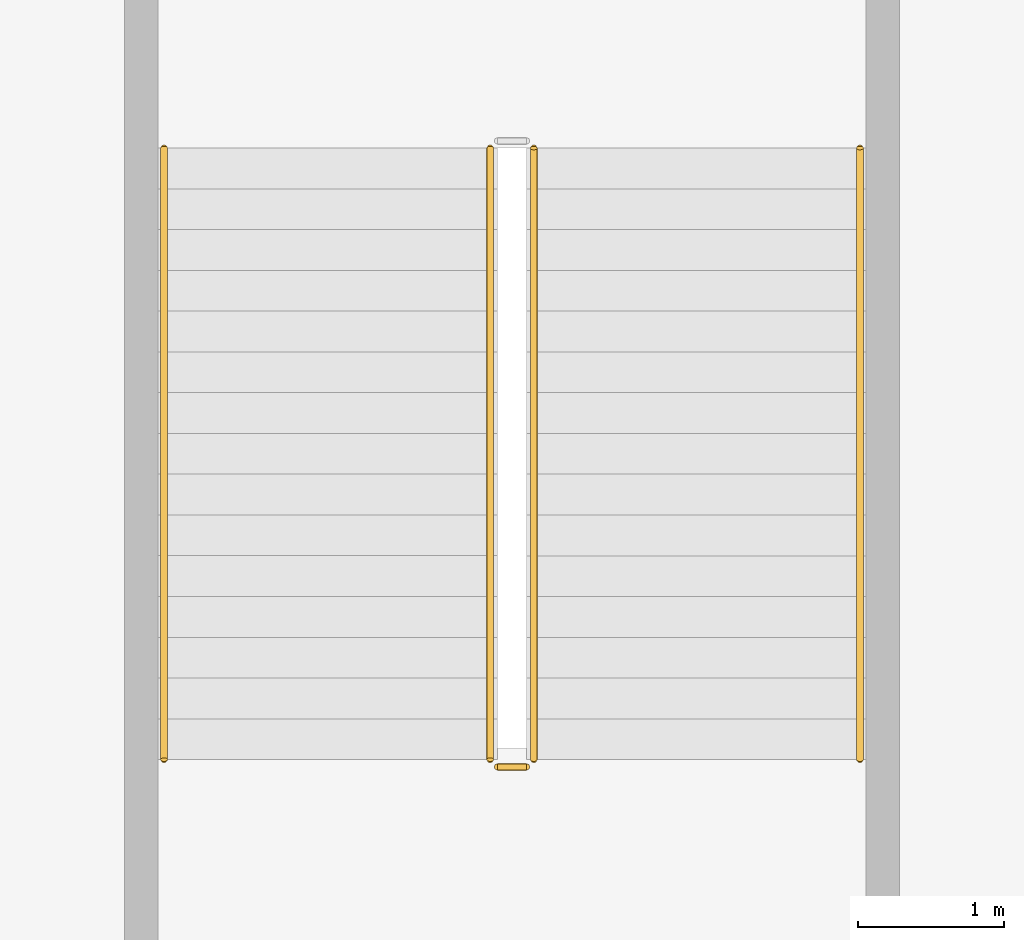
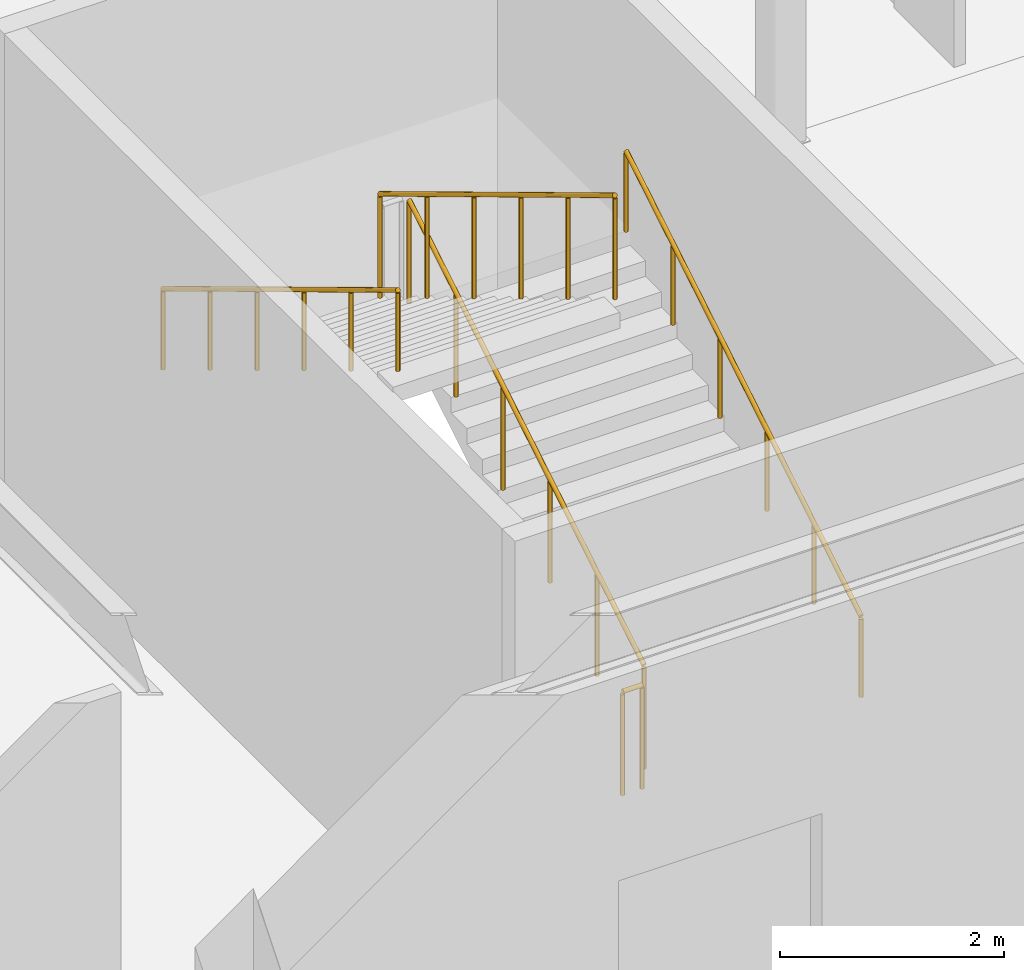
# One storey, part 98 of 105: 5 railings.
"""IFC4 building model written with IfcOpenShell, lengths in metres."""

from ifc_helpers import new_model, si_unit, direction, frame, origin, origin_2d, place, context, subcontext, project, spatial, circle, extrude, material, layer, layer_set, type_object, element, save


model = new_model("IFC4")

# Units and contexts
model_context = context("Model", 3, precision=1e-05, world=origin(), true_north=direction((0.0, 1.0)))
body_context = subcontext(model_context, "Body", "Model", "MODEL_VIEW")
ifc_project = project(units=[si_unit("LENGTHUNIT", "METRE"), si_unit("AREAUNIT", "SQUARE_METRE"), si_unit("VOLUMEUNIT", "CUBIC_METRE"), si_unit("PLANEANGLEUNIT", "RADIAN"), si_unit("MASSUNIT", "GRAM", prefix="KILO")], contexts=[model_context])

# Site, building, storey
site_placement = place(None, origin())
site = spatial("IfcSite", under=ifc_project, at=site_placement, CompositionType="ELEMENT")
building_placement = place(site_placement, origin())
building = spatial("IfcBuilding", under=site, at=building_placement, Name="Kazenohara Klinker Stadium", CompositionType="ELEMENT")
storey_placement = place(building_placement, frame((0.0, 0.0, 20.39990234375)))
storey = spatial("IfcBuildingStorey", under=building, at=storey_placement, Name="L04", CompositionType="ELEMENT", Elevation=20.39990234375)

# Railings
ifc_material_1 = material(Name="Brushed stainless steel 304 handrail", Category="steel")
ifc_layer_1 = layer(ifc_material_1, 0.050048828125)
ifc_layer_set_1 = layer_set([ifc_layer_1], Name="Brushed stainless steel 304 handrail")
railing_type_1 = type_object("IfcRailingType", Name="RL-HND-900", PredefinedType="HANDRAIL", material=ifc_layer_set_1)
railing_1_placement = place(storey_placement, frame((183.639892578125, 135.8798828125, 0.1689453125)))
element("IfcRailing", 1, at=railing_1_placement, inside=storey, type_object=railing_type_1, Name="L04 ST12 stair handrail 1", PredefinedType="HANDRAIL", context=body_context, shape_type="SweptSolid", body=[
    extrude(circle(Radius=0.02392578125, at=origin_2d()), frame((0.0, 0.0, 0.8759765625), z_axis=(0.0, 0.856489757249, 0.516164020179), x_axis=(-1.0, 0.0, 0.0)), (0.0, 0.0, 1.0), 4.904052734375),
    extrude(circle(Radius=0.02099609375, at=origin_2d()), origin(), (0.0, 0.0, 1.0), 0.851806640625),
    extrude(circle(Radius=0.02099609375, at=origin_2d()), frame((0.0, 0.840087890625, 0.50634765625)), (0.0, 0.0, 1.0), 0.851806640625),
    extrude(circle(Radius=0.02099609375, at=origin_2d()), frame((0.0, 1.68017578125, 1.012451171875)), (0.0, 0.0, 1.0), 0.851806640625),
    extrude(circle(Radius=0.02099609375, at=origin_2d()), frame((0.0, 2.52001953125, 1.518798828125)), (0.0, 0.0, 1.0), 0.851806640625),
    extrude(circle(Radius=0.02099609375, at=origin_2d()), frame((0.0, 3.360107421875, 2.02490234375)), (0.0, 0.0, 1.0), 0.851806640625),
    extrude(circle(Radius=0.02099609375, at=origin_2d()), frame((0.0, 4.2001953125, 2.53125)), (0.0, 0.0, 1.0), 0.851806640625),
])
railing_2_placement = place(storey_placement, frame((178.860107421875, 140.080078125, 2.868896484375)))
element("IfcRailing", 2, at=railing_2_placement, inside=storey, type_object=railing_type_1, Name="L04 ST12 stair handrail 2", PredefinedType="HANDRAIL", context=body_context, shape_type="SweptSolid", body=[
    extrude(circle(Radius=0.02392578125, at=origin_2d()), frame((0.0, 0.0, 0.8759765625), z_axis=(0.0, -0.856489757249, 0.516164020179), x_axis=(1.0, 0.0, 0.0)), (0.0, 0.0, 1.0), 4.904052734375),
    extrude(circle(Radius=0.02099609375, at=origin_2d()), origin(), (0.0, 0.0, 1.0), 0.851806640625),
    extrude(circle(Radius=0.02099609375, at=origin_2d()), frame((0.0, -0.840087890625, 0.50634765625)), (0.0, 0.0, 1.0), 0.851806640625),
    extrude(circle(Radius=0.02099609375, at=origin_2d()), frame((0.0, -1.68017578125, 1.012451171875)), (0.0, 0.0, 1.0), 0.851806640625),
    extrude(circle(Radius=0.02099609375, at=origin_2d()), frame((0.0, -2.52001953125, 1.518798828125)), (0.0, 0.0, 1.0), 0.851806640625),
    extrude(circle(Radius=0.02099609375, at=origin_2d()), frame((0.0, -3.360107421875, 2.02490234375)), (0.0, 0.0, 1.0), 0.851806640625),
    extrude(circle(Radius=0.02099609375, at=origin_2d()), frame((0.0, -4.2001953125, 2.53125)), (0.0, 0.0, 1.0), 0.851806640625),
])
ifc_material_2 = material(Name="Painted steel stairwell guardrail", Category="steel")
ifc_layer_2 = layer(ifc_material_2, 0.06005859375)
ifc_layer_set_2 = layer_set([ifc_layer_2], Name="Painted steel stairwell guardrail")
railing_type_2 = type_object("IfcRailingType", Name="RL-STG-1120", PredefinedType="GUARDRAIL", material=ifc_layer_set_2)
railing_3_placement = place(storey_placement, frame((181.39990234375, 135.8798828125, 0.1689453125)))
element("IfcRailing", 3, at=railing_3_placement, inside=storey, type_object=railing_type_2, Name="L04 ST12 stair guard 1", PredefinedType="GUARDRAIL", context=body_context, shape_type="SweptSolid", body=[
    extrude(circle(Radius=0.02392578125, at=origin_2d()), frame((0.0, 0.0, 1.1259765625), z_axis=(0.0, 0.856489757249, 0.516164020179), x_axis=(-1.0, 0.0, 0.0)), (0.0, 0.0, 1.0), 4.904052734375),
    extrude(circle(Radius=0.02099609375, at=origin_2d()), origin(), (0.0, 0.0, 1.0), 1.101806640625),
    extrude(circle(Radius=0.02099609375, at=origin_2d()), frame((0.0, 0.840087890625, 0.50634765625)), (0.0, 0.0, 1.0), 1.101806640625),
    extrude(circle(Radius=0.02099609375, at=origin_2d()), frame((0.0, 1.68017578125, 1.012451171875)), (0.0, 0.0, 1.0), 1.101806640625),
    extrude(circle(Radius=0.02099609375, at=origin_2d()), frame((0.0, 2.52001953125, 1.518798828125)), (0.0, 0.0, 1.0), 1.101806640625),
    extrude(circle(Radius=0.02099609375, at=origin_2d()), frame((0.0, 3.360107421875, 2.02490234375)), (0.0, 0.0, 1.0), 1.101806640625),
    extrude(circle(Radius=0.02099609375, at=origin_2d()), frame((0.0, 4.2001953125, 2.53125)), (0.0, 0.0, 1.0), 1.101806640625),
])
railing_4_placement = place(storey_placement, frame((181.10009765625, 140.080078125, 2.868896484375)))
element("IfcRailing", 4, at=railing_4_placement, inside=storey, type_object=railing_type_2, Name="L04 ST12 stair guard 3", PredefinedType="GUARDRAIL", context=body_context, shape_type="SweptSolid", body=[
    extrude(circle(Radius=0.02392578125, at=origin_2d()), frame((0.0, 0.0, 1.1259765625), z_axis=(0.0, -0.856489757249, 0.516164020179), x_axis=(1.0, 0.0, 0.0)), (0.0, 0.0, 1.0), 4.904052734375),
    extrude(circle(Radius=0.02099609375, at=origin_2d()), origin(), (0.0, 0.0, 1.0), 1.101806640625),
    extrude(circle(Radius=0.02099609375, at=origin_2d()), frame((0.0, -0.840087890625, 0.50634765625)), (0.0, 0.0, 1.0), 1.101806640625),
    extrude(circle(Radius=0.02099609375, at=origin_2d()), frame((0.0, -1.68017578125, 1.012451171875)), (0.0, 0.0, 1.0), 1.101806640625),
    extrude(circle(Radius=0.02099609375, at=origin_2d()), frame((0.0, -2.52001953125, 1.518798828125)), (0.0, 0.0, 1.0), 1.101806640625),
    extrude(circle(Radius=0.02099609375, at=origin_2d()), frame((0.0, -3.360107421875, 2.02490234375)), (0.0, 0.0, 1.0), 1.101806640625),
    extrude(circle(Radius=0.02099609375, at=origin_2d()), frame((0.0, -4.2001953125, 2.53125)), (0.0, 0.0, 1.0), 1.101806640625),
])
railing_5_placement = place(storey_placement, frame((181.35009765625, 135.830078125, 0.0)))
element("IfcRailing", 5, at=railing_5_placement, inside=storey, type_object=railing_type_2, Name="L04 ST12 stair guard 4", PredefinedType="GUARDRAIL", context=body_context, shape_type="SweptSolid", body=[
    extrude(circle(Radius=0.02392578125, at=origin_2d()), frame((0.0, 0.0, 1.1259765625), z_axis=(-1.0, 0.0, 0.0), x_axis=(0.0, -1.0, 0.0)), (0.0, 0.0, 1.0), 0.2001953125),
    extrude(circle(Radius=0.02099609375, at=origin_2d()), origin(), (0.0, 0.0, 1.0), 1.101806640625),
    extrude(circle(Radius=0.02099609375, at=origin_2d()), frame((-0.2001953125, 0.0, 0.0)), (0.0, 0.0, 1.0), 1.101806640625),
])

save(model, "model.ifc")
